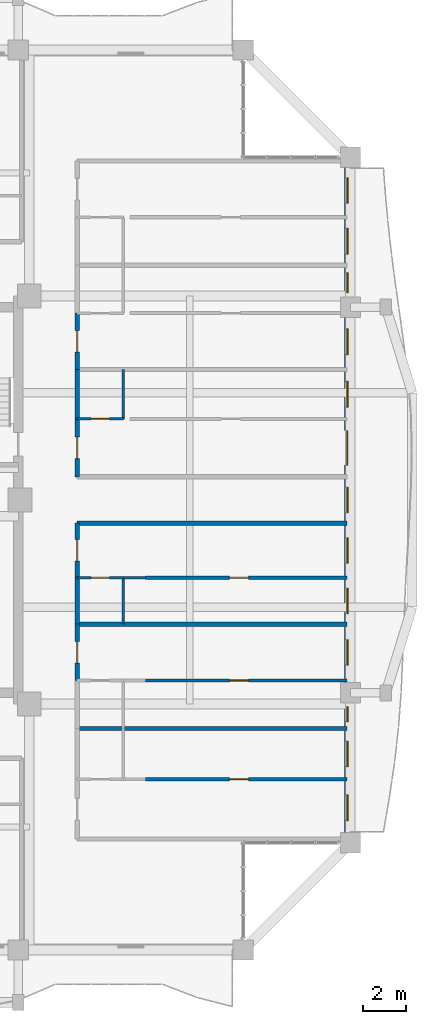
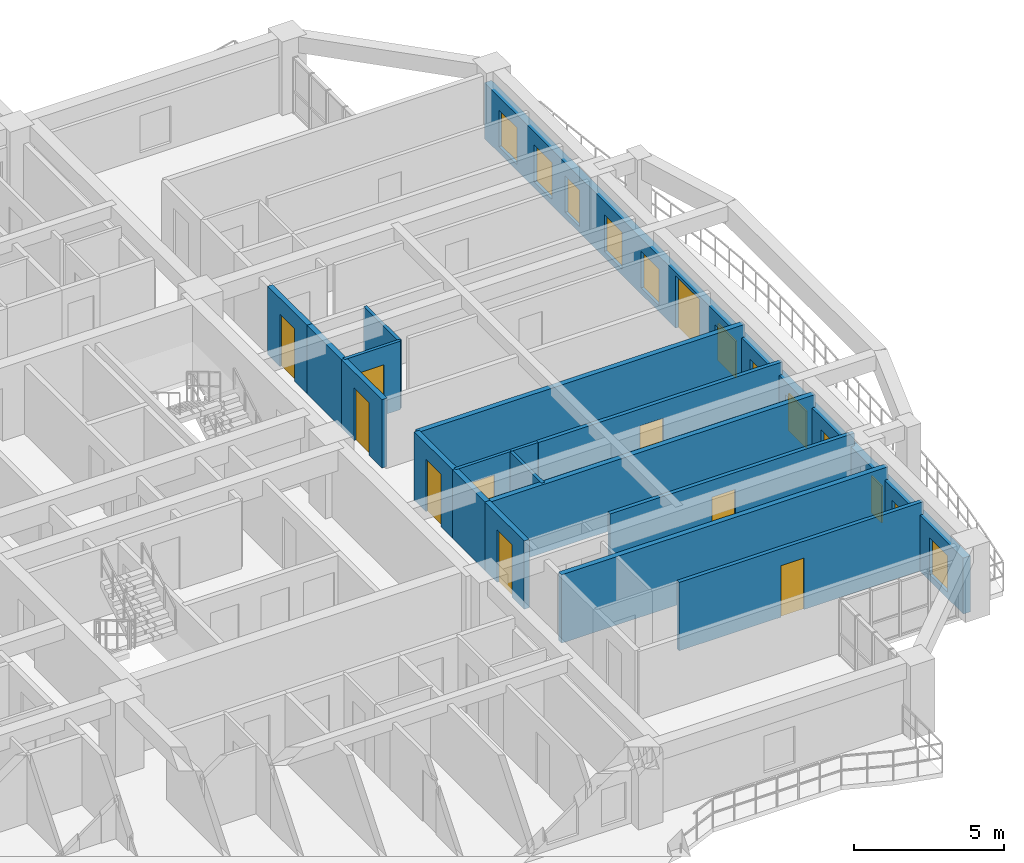
# One storey, part 15 of 24: 18 walls, 12 windows, 10 doors, 22 openings.
"""IFC4 building model written with IfcOpenShell, lengths in metres."""

import ifcopenshell
import ifcopenshell.guid

model = None  # the IFC model being written
_history = None  # IfcOwnerHistory: only IFC2X3 demands one
_inside = {}  # id of a spatial element -> (the spatial element, [elements in it])
_under = {}  # id of a project, library or spatial element -> (it, [spatial elements below it])
_declared = {}  # id of a project -> (the project, [libraries it declares])
_typed = {}  # id of a type object -> (the type object, [elements of that type])
_made_of = {}  # id of a material, layer set ... -> (it, [elements and type objects made of it])


def new_model(schema):
    """Start an empty IFC model of exactly this schema.

    Asked for "IFC4X3", IfcOpenShell would pick the latest addendum, in which some entities
    have other attributes; the version numbers below select the first issue.
    IFC2X3 requires an IfcOwnerHistory on every rooted entity: one is made here for all.
    """
    global model, _history
    if schema == "IFC4X3":
        model = ifcopenshell.file(schema_version=(4, 3, 0, 0))
    else:
        model = ifcopenshell.file(schema=schema)
    _inside.clear()
    _under.clear()
    _declared.clear()
    _typed.clear()
    _made_of.clear()
    _history = None
    if model.schema == "IFC2X3":
        org = make("IfcOrganization", Name="unknown")
        user = make(
            "IfcPersonAndOrganization",
            ThePerson=make("IfcPerson", FamilyName="unknown"),
            TheOrganization=org,
        )
        app = make(
            "IfcApplication",
            ApplicationDeveloper=org,
            Version="unknown",
            ApplicationFullName="unknown",
            ApplicationIdentifier="unknown",
        )
        _history = make(
            "IfcOwnerHistory",
            OwningUser=user,
            OwningApplication=app,
            ChangeAction="ADDED",
            CreationDate=0,
        )
    return model


def make(cls, **values):
    """One entity of the class cls with the attributes given. An attribute that is None is left unset."""
    return model.create_entity(
        cls, **{name: value for name, value in values.items() if value is not None}
    )


def rooted(cls, **values):
    """An entity with a GlobalId (a new one), such as an element, a storey or a relation."""
    return make(cls, GlobalId=ifcopenshell.guid.new(), OwnerHistory=_history, **values)


def si_unit(unit_type, name, prefix=None):
    """IfcSIUnit, for example si_unit("LENGTHUNIT", "METRE", prefix="MILLI")."""
    return make("IfcSIUnit", UnitType=unit_type, Prefix=prefix, Name=name)


def assignment(units):
    """IfcUnitAssignment: the units of a project."""
    return None if units is None else make("IfcUnitAssignment", Units=units)


def point(xyz):
    """IfcCartesianPoint."""
    return None if xyz is None else make("IfcCartesianPoint", Coordinates=xyz)


def direction(xyz):
    """IfcDirection."""
    return None if xyz is None else make("IfcDirection", DirectionRatios=xyz)


def frame(location, z_axis=None, x_axis=None):
    """IfcAxis2Placement3D, a coordinate frame: its origin and axes. An axis left out is left unset."""
    return make(
        "IfcAxis2Placement3D",
        Location=point(location),
        Axis=direction(z_axis),
        RefDirection=direction(x_axis),
    )


def frame_2d(location, x_axis=None):
    """IfcAxis2Placement2D, a coordinate frame in the plane: its origin and x axis."""
    return make(
        "IfcAxis2Placement2D", Location=point(location), RefDirection=direction(x_axis)
    )


def origin():
    """The frame at (0, 0, 0) with its axes left unset."""
    return frame((0.0, 0.0, 0.0))


def place(relative_to, where):
    """IfcLocalPlacement: puts the frame where relative to a parent placement (None: the world)."""
    return make(
        "IfcLocalPlacement", PlacementRelTo=relative_to, RelativePlacement=where
    )


def context(
    kind, dimensions, precision=None, world=None, true_north=None, identifier=None
):
    """IfcGeometricRepresentationContext, for example the 3D "Model" context."""
    return make(
        "IfcGeometricRepresentationContext",
        ContextIdentifier=identifier,
        ContextType=kind,
        CoordinateSpaceDimension=dimensions,
        Precision=precision,
        WorldCoordinateSystem=world,
        TrueNorth=true_north,
    )


def subcontext(parent, identifier, kind, view, scale=None):
    """IfcGeometricRepresentationSubContext, for example "Body" below "Model"."""
    return make(
        "IfcGeometricRepresentationSubContext",
        ContextIdentifier=identifier,
        ContextType=kind,
        ParentContext=parent,
        TargetScale=scale,
        TargetView=view,
    )


def project(units=None, contexts=None):
    """IfcProject with its units and contexts."""
    return rooted(
        "IfcProject",
        Name="project",
        RepresentationContexts=contexts,
        UnitsInContext=assignment(units),
    )


def spatial(cls, under=None, at=None, **own):
    """A site, building, storey or space (cls), placed at a placement, below another one or the project."""
    s = rooted(cls, ObjectPlacement=at, **own)
    if under is not None:
        _under.setdefault(under.id(), (under, []))[1].append(s)
    return s


def profile(cls, at=None, kind="AREA", **sizes):
    """A parametric profile (cls). Its sizes go by their IFC names, for example OverallWidth=200.0."""
    return make(cls, ProfileType=kind, Position=at, **sizes)


def rectangle(**sizes):
    """IfcRectangleProfileDef."""
    return profile("IfcRectangleProfileDef", **sizes)


def extrude(swept, where, along, depth):
    """IfcExtrudedAreaSolid: the profile swept, set in the frame where, extruded along a direction by depth."""
    return make(
        "IfcExtrudedAreaSolid",
        SweptArea=swept,
        Position=where,
        ExtrudedDirection=direction(along),
        Depth=depth,
    )


def shape(context_of_items, identifier, shape_type, items):
    """IfcShapeRepresentation: the items that make up one representation, for example the "Body"."""
    return make(
        "IfcShapeRepresentation",
        ContextOfItems=context_of_items,
        RepresentationIdentifier=identifier,
        RepresentationType=shape_type,
        Items=items,
    )


def source(mapping_origin, context_of_items, identifier, shape_type, items):
    """IfcRepresentationMap: a shape defined once, which mapped items show again and again."""
    return make(
        "IfcRepresentationMap",
        MappingOrigin=mapping_origin,
        MappedRepresentation=shape(context_of_items, identifier, shape_type, items),
    )


def transform(
    local_origin,
    x_axis=None,
    y_axis=None,
    z_axis=None,
    scale=None,
    scale2=None,
    scale3=None,
    uniform=True,
):
    """IfcCartesianTransformationOperator3D, or its non-uniform kind. x_axis, y_axis, z_axis: its Axis1, 2, 3."""
    if uniform:
        return make(
            "IfcCartesianTransformationOperator3D",
            Axis1=direction(x_axis),
            Axis2=direction(y_axis),
            LocalOrigin=point(local_origin),
            Scale=scale,
            Axis3=direction(z_axis),
        )
    return make(
        "IfcCartesianTransformationOperator3DnonUniform",
        Axis1=direction(x_axis),
        Axis2=direction(y_axis),
        LocalOrigin=point(local_origin),
        Scale=scale,
        Axis3=direction(z_axis),
        Scale2=scale2,
        Scale3=scale3,
    )


def mapped(mapping_source, mapping_target):
    """IfcMappedItem: shows the shape of a source again, moved by a transform."""
    return make(
        "IfcMappedItem", MappingSource=mapping_source, MappingTarget=mapping_target
    )


def material(Name=None, Category=None):
    """IfcMaterial."""
    return make("IfcMaterial", Name=Name, Category=Category)


def layer(
    of_material, thickness, ventilated=None, Name=None, Category=None, Priority=None
):
    """IfcMaterialLayer: one layer of a wall or slab, of a material (None: an air gap)."""
    return make(
        "IfcMaterialLayer",
        Material=of_material,
        LayerThickness=thickness,
        IsVentilated=ventilated,
        Name=Name,
        Category=Category,
        Priority=Priority,
    )


def layer_set(layers, Name=None):
    """IfcMaterialLayerSet."""
    return make("IfcMaterialLayerSet", MaterialLayers=layers, LayerSetName=Name)


def made_of(thing, what):
    """Note that an element or type object is made of a material, layer set ...; save() writes the relation."""
    if what is not None:
        _made_of.setdefault(what.id(), (what, []))[1].append(thing)
    return thing


def type_object(cls, material=None, **own):
    """A type object (cls), such as IfcWallType, which elements share."""
    return made_of(rooted(cls, **own), material)


def element(
    cls,
    number,
    at=None,
    inside=None,
    cuts=None,
    type_object=None,
    material=None,
    context=None,
    identifier="Body",
    shape_type=None,
    held_by="IfcProductDefinitionShape",
    body=None,
    shapes=None,
    **own,
):
    """One element of the class cls, such as IfcWall. Its Tag is "e" and its number.

    at: its placement. inside: the storey or other place that contains it. cuts: it is an
    opening in that element (IfcRelVoidsElement). A single representation is given by context,
    identifier, shape_type and body (its items); several are given by shapes. held_by: the class
    of the entity that holds the representations. save() writes the other relations.
    """
    e = rooted(cls, Tag="e%d" % number, ObjectPlacement=at, **own)
    if body is not None:
        shapes = [shape(context, identifier, shape_type, body)]
    if shapes is not None:
        e.Representation = make(held_by, Representations=shapes)
    if inside is not None:
        _inside.setdefault(inside.id(), (inside, []))[1].append(e)
    if cuts is not None:
        rooted(
            "IfcRelVoidsElement", RelatingBuildingElement=cuts, RelatedOpeningElement=e
        )
    if type_object is not None:
        _typed.setdefault(type_object.id(), (type_object, []))[1].append(e)
    return made_of(e, material)


def fill(opening, filler):
    """IfcRelFillsElement: the door or window that sits in an opening."""
    return rooted(
        "IfcRelFillsElement",
        RelatingOpeningElement=opening,
        RelatedBuildingElement=filler,
    )


def aggregate(whole, parts):
    """IfcRelAggregates: a whole, such as a stair, and the parts it consists of."""
    return rooted("IfcRelAggregates", RelatingObject=whole, RelatedObjects=parts)


def save(model, path):
    """Write the relations noted so far, then the file.

    IfcRelAggregates (storeys below a building ...), IfcRelContainedInSpatialStructure (elements
    in a storey), IfcRelDefinesByType, IfcRelAssociatesMaterial and IfcRelDeclares: one each for
    every whole, place, type object, material and project.
    """
    for whole, parts in _under.values():
        aggregate(whole, parts)
    for where, things in _inside.values():
        rooted(
            "IfcRelContainedInSpatialStructure",
            RelatedElements=things,
            RelatingStructure=where,
        )
    for kind, things in _typed.values():
        rooted("IfcRelDefinesByType", RelatedObjects=things, RelatingType=kind)
    for what, things in _made_of.values():
        rooted("IfcRelAssociatesMaterial", RelatedObjects=things, RelatingMaterial=what)
    for by, libraries in _declared.values():
        rooted("IfcRelDeclares", RelatingContext=by, RelatedDefinitions=libraries)
    model.write(path)


model = new_model("IFC4")

# Units and contexts
model_context = context("Model", 3, precision=1e-05, world=origin(), true_north=direction((0.0, 1.0)))
body_context = subcontext(model_context, "Body", "Model", "MODEL_VIEW")
ifc_project = project(units=[si_unit("LENGTHUNIT", "METRE"), si_unit("AREAUNIT", "SQUARE_METRE"), si_unit("VOLUMEUNIT", "CUBIC_METRE"), si_unit("PLANEANGLEUNIT", "RADIAN"), si_unit("MASSUNIT", "GRAM", prefix="KILO")], contexts=[model_context])

# Site, building, storey
site_placement = place(None, origin())
site = spatial("IfcSite", under=ifc_project, at=site_placement, CompositionType="ELEMENT")
building_placement = place(site_placement, origin())
building = spatial("IfcBuilding", under=site, at=building_placement, Name="Saelheon Loggia Tower", CompositionType="ELEMENT")
storey_placement = place(building_placement, frame((0.0, 0.0, 166.0)))
storey = spatial("IfcBuildingStorey", under=building, at=storey_placement, Name="L52", CompositionType="ELEMENT", Elevation=166.0)

# Wall, openings, windows, door
ifc_material_1 = material(Name="Architectural Precast Concrete C40/50", Category="concrete")
ifc_layer_1 = layer(ifc_material_1, 0.280029296875)
ifc_layer_set_1 = layer_set([ifc_layer_1], Name="Architectural Precast Concrete C40/50")
wall_type_1 = type_object("IfcWallType", Name="Wall_Ext_Loggia_280", PredefinedType="SOLIDWALL", material=ifc_layer_set_1)
wall_1_placement = place(storey_placement, frame((59.860107421875, 11.0, 0.0), z_axis=(0.0, 0.0, 1.0), x_axis=(0.0, 1.0, 0.0)))
wall_1 = element("IfcWall", 1, at=wall_1_placement, inside=storey, type_object=wall_type_1, Name="L52 East Loggia Inner Wall", PredefinedType="SOLIDWALL", context=body_context, shape_type="SweptSolid", body=[
    extrude(rectangle(XDim=32.0, YDim=0.280029296875, at=frame_2d((16.0, 0.0))), origin(), (0.0, 0.0, 1.0), 2.280029296875),
])
opening_1_placement = place(wall_1_placement, frame((1.040283203125, 0.0, 0.25)))
opening_1 = element("IfcOpeningElement", 2, at=opening_1_placement, cuts=wall_1, Name="Opening WN-03", PredefinedType="OPENING", context=body_context, shape_type="SweptSolid", body=[
    extrude(rectangle(XDim=1.199951171875, YDim=1.5, at=frame_2d((0.60009765625, 0.75))), frame((0.0, 0.152099609375, 0.0), z_axis=(0.0, -1.0, 0.0), x_axis=(1.0, 0.0, 0.0)), (0.0, 0.0, 1.0), 0.303955078125),
])
opening_2_placement = place(wall_1_placement, frame((3.552490234375, 0.0, 0.25)))
opening_2 = element("IfcOpeningElement", 3, at=opening_2_placement, cuts=wall_1, Name="Opening WN-03", PredefinedType="OPENING", context=body_context, shape_type="SweptSolid", body=[
    extrude(rectangle(XDim=1.199951171875, YDim=1.5, at=frame_2d((0.60009765625, 0.75))), frame((0.0, 0.152099609375, 0.0), z_axis=(0.0, -1.0, 0.0), x_axis=(1.0, 0.0, 0.0)), (0.0, 0.0, 1.0), 0.303955078125),
])
opening_3_placement = place(wall_1_placement, frame((5.662109375, 0.0, 0.25)))
opening_3 = element("IfcOpeningElement", 4, at=opening_3_placement, cuts=wall_1, Name="Opening WN-06", PredefinedType="OPENING", context=body_context, shape_type="SweptSolid", body=[
    extrude(rectangle(XDim=0.699951171875, YDim=1.5, at=frame_2d((0.35009765625, 0.75))), frame((0.0, 0.152099609375, 0.0), z_axis=(0.0, -1.0, 0.0), x_axis=(1.0, 0.0, 0.0)), (0.0, 0.0, 1.0), 0.303955078125),
])
opening_4_placement = place(wall_1_placement, frame((8.289794921875, 0.0, 0.25)))
opening_4 = element("IfcOpeningElement", 5, at=opening_4_placement, cuts=wall_1, Name="Opening WN-03", PredefinedType="OPENING", context=body_context, shape_type="SweptSolid", body=[
    extrude(rectangle(XDim=1.199951171875, YDim=1.5, at=frame_2d((0.60009765625, 0.75))), frame((0.0, 0.152099609375, 0.0), z_axis=(0.0, -1.0, 0.0), x_axis=(1.0, 0.0, 0.0)), (0.0, 0.0, 1.0), 0.303955078125),
])
opening_5_placement = place(wall_1_placement, frame((10.68798828125, 0.0, 0.25)))
opening_5 = element("IfcOpeningElement", 6, at=opening_5_placement, cuts=wall_1, Name="Opening WN-03", PredefinedType="OPENING", context=body_context, shape_type="SweptSolid", body=[
    extrude(rectangle(XDim=1.199951171875, YDim=1.5, at=frame_2d((0.60009765625, 0.75))), frame((0.0, 0.152099609375, 0.0), z_axis=(0.0, -1.0, 0.0), x_axis=(1.0, 0.0, 0.0)), (0.0, 0.0, 1.0), 0.303955078125),
])
opening_6_placement = place(wall_1_placement, frame((13.04638671875, 0.0, 0.25)))
opening_6 = element("IfcOpeningElement", 7, at=opening_6_placement, cuts=wall_1, Name="Opening WN-03", PredefinedType="OPENING", context=body_context, shape_type="SweptSolid", body=[
    extrude(rectangle(XDim=1.199951171875, YDim=1.5, at=frame_2d((0.60009765625, 0.75))), frame((0.0, 0.152099609375, 0.0), z_axis=(0.0, -1.0, 0.0), x_axis=(1.0, 0.0, 0.0)), (0.0, 0.0, 1.0), 0.303955078125),
])
opening_7_placement = place(wall_1_placement, frame((15.39990234375, 0.0, 0.25)))
opening_7 = element("IfcOpeningElement", 8, at=opening_7_placement, cuts=wall_1, Name="Opening WN-03", PredefinedType="OPENING", context=body_context, shape_type="SweptSolid", body=[
    extrude(rectangle(XDim=1.199951171875, YDim=1.5, at=frame_2d((0.60009765625, 0.75))), frame((0.0, 0.152099609375, 0.0), z_axis=(0.0, -1.0, 0.0), x_axis=(1.0, 0.0, 0.0)), (0.0, 0.0, 1.0), 0.303955078125),
])
opening_8_placement = place(wall_1_placement, frame((19.233154296875, 0.0, 0.0), z_axis=(0.0, 0.0, 1.0), x_axis=(-1.0, 0.0, 0.0)))
opening_8 = element("IfcOpeningElement", 9, at=opening_8_placement, cuts=wall_1, Name="Opening DLG-1", PredefinedType="OPENING", context=body_context, shape_type="SweptSolid", body=[
    extrude(rectangle(XDim=1.60009765625, YDim=2.14990234375, at=frame_2d((0.800048828125, 1.074951171875))), frame((0.0, 0.152099609375, 0.0), z_axis=(0.0, -1.0, 0.0), x_axis=(1.0, 0.0, 0.0)), (0.0, 0.0, 1.0), 0.303955078125),
])
opening_9_placement = place(wall_1_placement, frame((20.3388671875, 0.0, 0.25)))
opening_9 = element("IfcOpeningElement", 10, at=opening_9_placement, cuts=wall_1, Name="Opening WN-03", PredefinedType="OPENING", context=body_context, shape_type="SweptSolid", body=[
    extrude(rectangle(XDim=1.199951171875, YDim=1.5, at=frame_2d((0.60009765625, 0.75))), frame((0.0, 0.152099609375, 0.0), z_axis=(0.0, -1.0, 0.0), x_axis=(1.0, 0.0, 0.0)), (0.0, 0.0, 1.0), 0.303955078125),
])
opening_10_placement = place(wall_1_placement, frame((22.788330078125, 0.0, 0.25)))
opening_10 = element("IfcOpeningElement", 11, at=opening_10_placement, cuts=wall_1, Name="Opening WN-03", PredefinedType="OPENING", context=body_context, shape_type="SweptSolid", body=[
    extrude(rectangle(XDim=1.199951171875, YDim=1.5, at=frame_2d((0.60009765625, 0.75))), frame((0.0, 0.152099609375, 0.0), z_axis=(0.0, -1.0, 0.0), x_axis=(1.0, 0.0, 0.0)), (0.0, 0.0, 1.0), 0.303955078125),
])
opening_11_placement = place(wall_1_placement, frame((25.660400390625, 0.0, 0.25)))
opening_11 = element("IfcOpeningElement", 12, at=opening_11_placement, cuts=wall_1, Name="Opening WN-04", PredefinedType="OPENING", context=body_context, shape_type="SweptSolid", body=[
    extrude(rectangle(XDim=0.949951171875, YDim=1.5, at=frame_2d((0.47509765625, 0.75))), frame((0.0, 0.152099609375, 0.0), z_axis=(0.0, -1.0, 0.0), x_axis=(1.0, 0.0, 0.0)), (0.0, 0.0, 1.0), 0.303955078125),
])
opening_12_placement = place(wall_1_placement, frame((27.474609375, 0.0, 0.25)))
opening_12 = element("IfcOpeningElement", 13, at=opening_12_placement, cuts=wall_1, Name="Opening WN-03", PredefinedType="OPENING", context=body_context, shape_type="SweptSolid", body=[
    extrude(rectangle(XDim=1.199951171875, YDim=1.5, at=frame_2d((0.60009765625, 0.75))), frame((0.0, 0.152099609375, 0.0), z_axis=(0.0, -1.0, 0.0), x_axis=(1.0, 0.0, 0.0)), (0.0, 0.0, 1.0), 0.303955078125),
])
opening_13_placement = place(wall_1_placement, frame((29.839111328125, 0.0, 0.25)))
opening_13 = element("IfcOpeningElement", 14, at=opening_13_placement, cuts=wall_1, Name="Opening WN-03", PredefinedType="OPENING", context=body_context, shape_type="SweptSolid", body=[
    extrude(rectangle(XDim=1.199951171875, YDim=1.5, at=frame_2d((0.60009765625, 0.75))), frame((0.0, 0.152099609375, 0.0), z_axis=(0.0, -1.0, 0.0), x_axis=(1.0, 0.0, 0.0)), (0.0, 0.0, 1.0), 0.303955078125),
])
ifc_material_2 = material(Name="Thermal-Break Aluminium and Triple Low-E Glass", Category="aluminium")
window_type_1 = type_object("IfcWindowType", Name="Win_Slot_700x1500", PartitioningType="SINGLE_PANEL", PredefinedType="WINDOW", material=ifc_material_2)
shared_shape_1 = source(origin(), body_context, "Body", "SweptSolid", [
    extrude(rectangle(XDim=0.699951171875, YDim=1.5, at=frame_2d((0.35009765625, 0.75))), frame((0.0, 0.030029296875, 0.0), z_axis=(0.0, -1.0, 0.0), x_axis=(1.0, 0.0, 0.0)), (0.0, 0.0, 1.0), 0.06005859375),
])
window_1_placement = place(opening_3_placement, origin())
window_1 = element("IfcWindow", 15, at=window_1_placement, inside=storey, type_object=window_type_1, Name="L52 E Dwelling Window 3", OverallHeight=1.5, OverallWidth=0.699951171875, PartitioningType="SINGLE_PANEL", PredefinedType="WINDOW", context=body_context, shape_type="MappedRepresentation", body=[
    mapped(shared_shape_1, transform((0.0, 0.0, 0.0), scale=1.0)),
])
fill(opening_3, window_1)
window_type_2 = type_object("IfcWindowType", Name="Win_Bedroom_1200x1500", PartitioningType="SINGLE_PANEL", PredefinedType="WINDOW", material=ifc_material_2)
shared_shape_2 = source(origin(), body_context, "Body", "SweptSolid", [
    extrude(rectangle(XDim=1.199951171875, YDim=1.5, at=frame_2d((0.60009765625, 0.75))), frame((0.0, 0.030029296875, 0.0), z_axis=(0.0, -1.0, 0.0), x_axis=(1.0, 0.0, 0.0)), (0.0, 0.0, 1.0), 0.06005859375),
])
window_2_placement = place(opening_1_placement, origin())
window_2 = element("IfcWindow", 16, at=window_2_placement, inside=storey, type_object=window_type_2, Name="L52 E Dwelling Window 1", OverallHeight=1.5, OverallWidth=1.199951171875, PartitioningType="SINGLE_PANEL", PredefinedType="WINDOW", context=body_context, shape_type="MappedRepresentation", body=[
    mapped(shared_shape_2, transform((0.0, 0.0, 0.0), scale=1.0)),
])
fill(opening_1, window_2)
window_3_placement = place(opening_2_placement, origin())
window_3 = element("IfcWindow", 17, at=window_3_placement, inside=storey, type_object=window_type_2, Name="L52 E Dwelling Window 2", OverallHeight=1.5, OverallWidth=1.199951171875, PartitioningType="SINGLE_PANEL", PredefinedType="WINDOW", context=body_context, shape_type="MappedRepresentation", body=[
    mapped(shared_shape_2, transform((0.0, 0.0, 0.0), scale=1.0)),
])
fill(opening_2, window_3)
window_4_placement = place(opening_4_placement, origin())
window_4 = element("IfcWindow", 18, at=window_4_placement, inside=storey, type_object=window_type_2, Name="L52 E Dwelling Window 4", OverallHeight=1.5, OverallWidth=1.199951171875, PartitioningType="SINGLE_PANEL", PredefinedType="WINDOW", context=body_context, shape_type="MappedRepresentation", body=[
    mapped(shared_shape_2, transform((0.0, 0.0, 0.0), scale=1.0)),
])
fill(opening_4, window_4)
window_5_placement = place(opening_5_placement, origin())
window_5 = element("IfcWindow", 19, at=window_5_placement, inside=storey, type_object=window_type_2, Name="L52 E Dwelling Window 5", OverallHeight=1.5, OverallWidth=1.199951171875, PartitioningType="SINGLE_PANEL", PredefinedType="WINDOW", context=body_context, shape_type="MappedRepresentation", body=[
    mapped(shared_shape_2, transform((0.0, 0.0, 0.0), scale=1.0)),
])
fill(opening_5, window_5)
window_6_placement = place(opening_6_placement, origin())
window_6 = element("IfcWindow", 20, at=window_6_placement, inside=storey, type_object=window_type_2, Name="L52 E Dwelling Window 6", OverallHeight=1.5, OverallWidth=1.199951171875, PartitioningType="SINGLE_PANEL", PredefinedType="WINDOW", context=body_context, shape_type="MappedRepresentation", body=[
    mapped(shared_shape_2, transform((0.0, 0.0, 0.0), scale=1.0)),
])
fill(opening_6, window_6)
window_7_placement = place(opening_7_placement, origin())
window_7 = element("IfcWindow", 21, at=window_7_placement, inside=storey, type_object=window_type_2, Name="L52 E Dwelling Window 7", OverallHeight=1.5, OverallWidth=1.199951171875, PartitioningType="SINGLE_PANEL", PredefinedType="WINDOW", context=body_context, shape_type="MappedRepresentation", body=[
    mapped(shared_shape_2, transform((0.0, 0.0, 0.0), scale=1.0)),
])
fill(opening_7, window_7)
window_8_placement = place(opening_9_placement, origin())
window_8 = element("IfcWindow", 22, at=window_8_placement, inside=storey, type_object=window_type_2, Name="L52 E Dwelling Window 9", OverallHeight=1.5, OverallWidth=1.199951171875, PartitioningType="SINGLE_PANEL", PredefinedType="WINDOW", context=body_context, shape_type="MappedRepresentation", body=[
    mapped(shared_shape_2, transform((0.0, 0.0, 0.0), scale=1.0)),
])
fill(opening_9, window_8)
window_9_placement = place(opening_10_placement, origin())
window_9 = element("IfcWindow", 23, at=window_9_placement, inside=storey, type_object=window_type_2, Name="L52 E Dwelling Window 10", OverallHeight=1.5, OverallWidth=1.199951171875, PartitioningType="SINGLE_PANEL", PredefinedType="WINDOW", context=body_context, shape_type="MappedRepresentation", body=[
    mapped(shared_shape_2, transform((0.0, 0.0, 0.0), scale=1.0)),
])
fill(opening_10, window_9)
window_10_placement = place(opening_12_placement, origin())
window_10 = element("IfcWindow", 24, at=window_10_placement, inside=storey, type_object=window_type_2, Name="L52 E Dwelling Window 12", OverallHeight=1.5, OverallWidth=1.199951171875, PartitioningType="SINGLE_PANEL", PredefinedType="WINDOW", context=body_context, shape_type="MappedRepresentation", body=[
    mapped(shared_shape_2, transform((0.0, 0.0, 0.0), scale=1.0)),
])
fill(opening_12, window_10)
window_11_placement = place(opening_13_placement, origin())
window_11 = element("IfcWindow", 25, at=window_11_placement, inside=storey, type_object=window_type_2, Name="L52 E Dwelling Window 13", OverallHeight=1.5, OverallWidth=1.199951171875, PartitioningType="SINGLE_PANEL", PredefinedType="WINDOW", context=body_context, shape_type="MappedRepresentation", body=[
    mapped(shared_shape_2, transform((0.0, 0.0, 0.0), scale=1.0)),
])
fill(opening_13, window_11)
window_type_3 = type_object("IfcWindowType", Name="Win_Narrow_950x1500", PartitioningType="SINGLE_PANEL", PredefinedType="WINDOW", material=ifc_material_2)
shared_shape_3 = source(origin(), body_context, "Body", "SweptSolid", [
    extrude(rectangle(XDim=0.949951171875, YDim=1.5, at=frame_2d((0.47509765625, 0.75))), frame((0.0, 0.030029296875, 0.0), z_axis=(0.0, -1.0, 0.0), x_axis=(1.0, 0.0, 0.0)), (0.0, 0.0, 1.0), 0.06005859375),
])
window_12_placement = place(opening_11_placement, origin())
window_12 = element("IfcWindow", 26, at=window_12_placement, inside=storey, type_object=window_type_3, Name="L52 E Dwelling Window 11", OverallHeight=1.5, OverallWidth=0.949951171875, PartitioningType="SINGLE_PANEL", PredefinedType="WINDOW", context=body_context, shape_type="MappedRepresentation", body=[
    mapped(shared_shape_3, transform((0.0, 0.0, 0.0), scale=1.0)),
])
fill(opening_11, window_12)
ifc_material_3 = material(Name="Thermal-Break Aluminium Sliding Glazed Door", Category="aluminium")
door_type_1 = type_object("IfcDoorType", Name="Door_LoggiaSlide_1600", OperationType="SLIDING_TO_LEFT", PredefinedType="DOOR", material=ifc_material_3)
shared_shape_4 = source(origin(), body_context, "Body", "SweptSolid", [
    extrude(rectangle(XDim=1.60009765625, YDim=2.14990234375, at=frame_2d((0.800048828125, 1.074951171875))), frame((0.0, 0.02490234375, 0.0), z_axis=(0.0, -1.0, 0.0), x_axis=(1.0, 0.0, 0.0)), (0.0, 0.0, 1.0), 0.050048828125),
])
door_1_placement = place(opening_8_placement, origin())
door_1 = element("IfcDoor", 27, at=door_1_placement, inside=storey, type_object=door_type_1, Name="L52 E Loggia Access Door", OperationType="SLIDING_TO_LEFT", OverallHeight=2.14990234375, OverallWidth=1.60009765625, PredefinedType="DOOR", context=body_context, shape_type="MappedRepresentation", body=[
    mapped(shared_shape_4, transform((0.0, 0.0, 0.0), scale=1.0)),
])
fill(opening_8, door_1)

# Wall, opening, door
ifc_material_4 = material(Name="Lightweight Autoclaved Aerated Concrete Block and Acoustic Gypsum", Category="concrete")
ifc_layer_2 = layer(ifc_material_4, 0.14990234375)
ifc_layer_set_2 = layer_set([ifc_layer_2], Name="Lightweight Autoclaved Aerated Concrete Block and Acoustic Gypsum")
wall_type_2 = type_object("IfcWallType", Name="Wall_Part_150", PredefinedType="PARTITIONING", material=ifc_layer_set_2)
wall_2_placement = place(storey_placement, frame((50.429931640625, 13.9658203125, 0.0), z_axis=(0.0, 0.0, 1.0), x_axis=(1.0, 0.0, 0.0)))
wall_2 = element("IfcWall", 28, at=wall_2_placement, inside=storey, type_object=wall_type_2, Name="L52 ES Partition U08", PredefinedType="PARTITIONING", context=body_context, shape_type="SweptSolid", body=[
    extrude(rectangle(XDim=9.420166015625, YDim=0.14990234375, at=frame_2d((4.7099609375, 0.0))), origin(), (0.0, 0.0, 1.0), 2.7900390625),
])
opening_14_placement = place(wall_2_placement, frame((3.925048828125, 0.0, 0.0)))
opening_14 = element("IfcOpeningElement", 29, at=opening_14_placement, cuts=wall_2, Name="Opening D-IN2", PredefinedType="OPENING", context=body_context, shape_type="SweptSolid", body=[
    extrude(rectangle(XDim=0.89990234375, YDim=2.10009765625, at=frame_2d((0.449951171875, 1.050048828125))), frame((0.0, 0.0869140625, 0.0), z_axis=(0.0, -1.0, 0.0), x_axis=(1.0, 0.0, 0.0)), (0.0, 0.0, 1.0), 0.173828125),
])
ifc_material_5 = material(Name="Engineered Oak Flush Door", Category="timber")
door_type_2 = type_object("IfcDoorType", Name="Door_Int_900", OperationType="NOTDEFINED", PredefinedType="DOOR", material=ifc_material_5)
shared_shape_5 = source(origin(), body_context, "Body", "SweptSolid", [
    extrude(rectangle(XDim=0.89990234375, YDim=2.10009765625, at=frame_2d((0.449951171875, 1.050048828125))), frame((0.0, 0.02490234375, 0.0), z_axis=(0.0, -1.0, 0.0), x_axis=(1.0, 0.0, 0.0)), (0.0, 0.0, 1.0), 0.050048828125),
])
door_2_placement = place(opening_14_placement, origin())
door_2 = element("IfcDoor", 30, at=door_2_placement, inside=storey, type_object=door_type_2, Name="Unit U13 Kitchen Door", OperationType="SINGLE_SWING_RIGHT", OverallHeight=2.10009765625, OverallWidth=0.89990234375, PredefinedType="DOOR", context=body_context, shape_type="MappedRepresentation", body=[
    mapped(shared_shape_5, transform((0.0, 0.0, 0.0), scale=1.0)),
])
fill(opening_14, door_2)

wall_3_placement = place(storey_placement, frame((50.429931640625, 18.576416015625, 0.0), z_axis=(0.0, 0.0, 1.0), x_axis=(1.0, 0.0, 0.0)))
wall_3 = element("IfcWall", 31, at=wall_3_placement, inside=storey, type_object=wall_type_2, Name="L52 ES Partition U15", PredefinedType="PARTITIONING", context=body_context, shape_type="SweptSolid", body=[
    extrude(rectangle(XDim=9.420166015625, YDim=0.14990234375, at=frame_2d((4.7099609375, 0.0))), origin(), (0.0, 0.0, 1.0), 2.7900390625),
])
opening_15_placement = place(wall_3_placement, frame((3.925048828125, 0.0, 0.0)))
opening_15 = element("IfcOpeningElement", 32, at=opening_15_placement, cuts=wall_3, Name="Opening D-IN2", PredefinedType="OPENING", context=body_context, shape_type="SweptSolid", body=[
    extrude(rectangle(XDim=0.89990234375, YDim=2.10009765625, at=frame_2d((0.449951171875, 1.050048828125))), frame((0.0, 0.0869140625, 0.0), z_axis=(0.0, -1.0, 0.0), x_axis=(1.0, 0.0, 0.0)), (0.0, 0.0, 1.0), 0.173828125),
])
door_3_placement = place(opening_15_placement, origin())
door_3 = element("IfcDoor", 33, at=door_3_placement, inside=storey, type_object=door_type_2, Name="Unit U14 Kitchen Door", OperationType="SINGLE_SWING_LEFT", OverallHeight=2.10009765625, OverallWidth=0.89990234375, PredefinedType="DOOR", context=body_context, shape_type="MappedRepresentation", body=[
    mapped(shared_shape_5, transform((0.0, 0.0, 0.0), scale=1.0)),
])
fill(opening_15, door_3)

wall_4_placement = place(storey_placement, frame((50.429931640625, 23.372802734375, 0.0), z_axis=(0.0, 0.0, 1.0), x_axis=(1.0, 0.0, 0.0)))
wall_4 = element("IfcWall", 34, at=wall_4_placement, inside=storey, type_object=wall_type_2, Name="L52 ES Partition U22", PredefinedType="PARTITIONING", context=body_context, shape_type="SweptSolid", body=[
    extrude(rectangle(XDim=9.420166015625, YDim=0.14990234375, at=frame_2d((4.7099609375, 0.0))), origin(), (0.0, 0.0, 1.0), 2.7900390625),
])
opening_16_placement = place(wall_4_placement, frame((3.925048828125, 0.0, 0.0)))
opening_16 = element("IfcOpeningElement", 35, at=opening_16_placement, cuts=wall_4, Name="Opening D-IN2", PredefinedType="OPENING", context=body_context, shape_type="SweptSolid", body=[
    extrude(rectangle(XDim=0.89990234375, YDim=2.10009765625, at=frame_2d((0.449951171875, 1.050048828125))), frame((0.0, 0.0869140625, 0.0), z_axis=(0.0, -1.0, 0.0), x_axis=(1.0, 0.0, 0.0)), (0.0, 0.0, 1.0), 0.173828125),
])
door_4_placement = place(opening_16_placement, origin())
door_4 = element("IfcDoor", 36, at=door_4_placement, inside=storey, type_object=door_type_2, Name="Unit U15 Kitchen Door", OperationType="SINGLE_SWING_RIGHT", OverallHeight=2.10009765625, OverallWidth=0.89990234375, PredefinedType="DOOR", context=body_context, shape_type="MappedRepresentation", body=[
    mapped(shared_shape_5, transform((0.0, 0.0, 0.0), scale=1.0)),
])
fill(opening_16, door_4)

# Walls
ifc_material_6 = material(Name="Double Acoustic Stud and Fireboard Partition", Category="gypsum")
ifc_layer_3 = layer(ifc_material_6, 0.199951171875)
ifc_layer_set_3 = layer_set([ifc_layer_3], Name="Double Acoustic Stud and Fireboard Partition")
wall_type_3 = type_object("IfcWallType", Name="Wall_Party_200", PredefinedType="PARTITIONING", material=ifc_layer_set_3)
for number, where, z_axis, x_axis, name in (
    (37, (47.25, 25.919921875, 0.0), (0.0, 0.0, 1.0), (1.0, 0.0, 0.0), "L52 ES Partition U02"),
    (38, (47.25, 16.339111328125, 0.0), (0.0, 0.0, 1.0), (1.0, 0.0, 0.0), "L52 ES Partition U09"),
):
    element("IfcWall", number, at=place(storey_placement, frame(where, z_axis=z_axis, x_axis=x_axis)), inside=storey, type_object=wall_type_3, Name=name, PredefinedType="PARTITIONING", context=body_context, shape_type="SweptSolid", body=[
        extrude(rectangle(XDim=12.60009765625, YDim=0.199951171875, at=frame_2d((6.300048828125, 0.0))), origin(), (0.0, 0.0, 1.0), 2.7900390625),
    ])

# Wall, opening, door
wall_5_placement = place(storey_placement, frame((47.25, 18.576416015625, 0.0), z_axis=(0.0, 0.0, 1.0), x_axis=(0.0, 1.0, 0.0)))
wall_5 = element("IfcWall", 39, at=wall_5_placement, inside=storey, type_object=wall_type_3, Name="L52 ES Partition V11", PredefinedType="PARTITIONING", context=body_context, shape_type="SweptSolid", body=[
    extrude(rectangle(XDim=2.626708984375, YDim=0.199951171875, at=frame_2d((1.3134765625, 0.0))), origin(), (0.0, 0.0, 1.0), 2.7900390625),
])
opening_17_placement = place(wall_5_placement, frame((0.813232421875, 0.0, 0.0)))
opening_17 = element("IfcOpeningElement", 40, at=opening_17_placement, cuts=wall_5, Name="Opening D-FD1", PredefinedType="OPENING", context=body_context, shape_type="SweptSolid", body=[
    extrude(rectangle(XDim=1.0, YDim=2.14990234375, at=frame_2d((0.5, 1.074951171875))), frame((0.0, 0.112060546875, 0.0), z_axis=(0.0, -1.0, 0.0), x_axis=(1.0, 0.0, 0.0)), (0.0, 0.0, 1.0), 0.223876953125),
])
ifc_material_7 = material(Name="Fire-Rated Engineered Timber Entrance Door", Category="wood")
door_type_3 = type_object("IfcDoorType", Name="Door_Flat_FD30S", OperationType="NOTDEFINED", PredefinedType="DOOR", material=ifc_material_7)
shared_shape_6 = source(origin(), body_context, "Body", "SweptSolid", [
    extrude(rectangle(XDim=1.0, YDim=2.14990234375, at=frame_2d((0.5, 1.074951171875))), frame((0.0, 0.02490234375, 0.0), z_axis=(0.0, -1.0, 0.0), x_axis=(1.0, 0.0, 0.0)), (0.0, 0.0, 1.0), 0.050048828125),
])
door_5_placement = place(opening_17_placement, origin())
door_5 = element("IfcDoor", 41, at=door_5_placement, inside=storey, type_object=door_type_3, Name="Unit U14 Entrance Door", OperationType="SINGLE_SWING_LEFT", OverallHeight=2.14990234375, OverallWidth=1.0, PredefinedType="DOOR", context=body_context, shape_type="MappedRepresentation", body=[
    mapped(shared_shape_6, transform((0.0, 0.0, 0.0), scale=1.0)),
])
fill(opening_17, door_5)

# Walls
wall_6_placement = place(storey_placement, frame((47.25, 21.203125, 0.0), z_axis=(0.0, 0.0, 1.0), x_axis=(1.0, 0.0, 0.0)))
element("IfcWall", 42, at=wall_6_placement, inside=storey, type_object=wall_type_3, Name="L52 ES Partition U16", PredefinedType="PARTITIONING", context=body_context, shape_type="SweptSolid", body=[
    extrude(rectangle(XDim=12.60009765625, YDim=0.199951171875, at=frame_2d((6.300048828125, 0.0))), origin(), (0.0, 0.0, 1.0), 2.7900390625),
])
wall_7_placement = place(storey_placement, frame((47.25, 21.203125, 0.0), z_axis=(0.0, 0.0, 1.0), x_axis=(0.0, 1.0, 0.0)))
element("IfcWall", 43, at=wall_7_placement, inside=storey, type_object=wall_type_3, Name="L52 ES Partition V17", PredefinedType="PARTITIONING", context=body_context, shape_type="SweptSolid", body=[
    extrude(rectangle(XDim=2.169677734375, YDim=0.199951171875, at=frame_2d((1.0849609375, 0.0))), origin(), (0.0, 0.0, 1.0), 2.7900390625),
])

# Wall, opening, door
wall_8_placement = place(storey_placement, frame((47.25, 23.372802734375, 0.0), z_axis=(0.0, 0.0, 1.0), x_axis=(0.0, 1.0, 0.0)))
wall_8 = element("IfcWall", 44, at=wall_8_placement, inside=storey, type_object=wall_type_3, Name="L52 ES Partition V18", PredefinedType="PARTITIONING", context=body_context, shape_type="SweptSolid", body=[
    extrude(rectangle(XDim=2.547119140625, YDim=0.199951171875, at=frame_2d((1.2734375, 0.0))), origin(), (0.0, 0.0, 1.0), 2.7900390625),
])
opening_18_placement = place(wall_8_placement, frame((0.773681640625, 0.0, 0.0)))
opening_18 = element("IfcOpeningElement", 45, at=opening_18_placement, cuts=wall_8, Name="Opening D-FD1", PredefinedType="OPENING", context=body_context, shape_type="SweptSolid", body=[
    extrude(rectangle(XDim=1.0, YDim=2.14990234375, at=frame_2d((0.5, 1.074951171875))), frame((0.0, 0.112060546875, 0.0), z_axis=(0.0, -1.0, 0.0), x_axis=(1.0, 0.0, 0.0)), (0.0, 0.0, 1.0), 0.223876953125),
])
door_6_placement = place(opening_18_placement, origin())
door_6 = element("IfcDoor", 46, at=door_6_placement, inside=storey, type_object=door_type_3, Name="Unit U15 Entrance Door", OperationType="SINGLE_SWING_RIGHT", OverallHeight=2.14990234375, OverallWidth=1.0, PredefinedType="DOOR", context=body_context, shape_type="MappedRepresentation", body=[
    mapped(shared_shape_6, transform((0.0, 0.0, 0.0), scale=1.0)),
])
fill(opening_18, door_6)

wall_9_placement = place(storey_placement, frame((47.25, 28.080078125, 0.0), z_axis=(0.0, 0.0, 1.0), x_axis=(0.0, 1.0, 0.0)))
wall_9 = element("IfcWall", 47, at=wall_9_placement, inside=storey, type_object=wall_type_3, Name="L52 EN Partition V03", PredefinedType="PARTITIONING", context=body_context, shape_type="SweptSolid", body=[
    extrude(rectangle(XDim=2.706298828125, YDim=0.199951171875, at=frame_2d((1.35302734375, 0.0))), origin(), (0.0, 0.0, 1.0), 2.7900390625),
])
opening_19_placement = place(wall_9_placement, frame((0.853271484375, 0.0, 0.0)))
opening_19 = element("IfcOpeningElement", 48, at=opening_19_placement, cuts=wall_9, Name="Opening D-FD1", PredefinedType="OPENING", context=body_context, shape_type="SweptSolid", body=[
    extrude(rectangle(XDim=1.0, YDim=2.14990234375, at=frame_2d((0.5, 1.074951171875))), frame((0.0, 0.112060546875, 0.0), z_axis=(0.0, -1.0, 0.0), x_axis=(1.0, 0.0, 0.0)), (0.0, 0.0, 1.0), 0.223876953125),
])
door_7_placement = place(opening_19_placement, origin())
door_7 = element("IfcDoor", 49, at=door_7_placement, inside=storey, type_object=door_type_3, Name="Unit U16 Entrance Door", OperationType="SINGLE_SWING_LEFT", OverallHeight=2.14990234375, OverallWidth=1.0, PredefinedType="DOOR", context=body_context, shape_type="MappedRepresentation", body=[
    mapped(shared_shape_6, transform((0.0, 0.0, 0.0), scale=1.0)),
])
fill(opening_19, door_7)

# Wall
wall_10_placement = place(storey_placement, frame((47.25, 30.786376953125, 0.0), z_axis=(0.0, 0.0, 1.0), x_axis=(0.0, 1.0, 0.0)))
element("IfcWall", 50, at=wall_10_placement, inside=storey, type_object=wall_type_3, Name="L52 EN Partition V04", PredefinedType="PARTITIONING", context=body_context, shape_type="SweptSolid", body=[
    extrude(rectangle(XDim=2.30517578125, YDim=0.199951171875, at=frame_2d((1.152587890625, 0.0))), origin(), (0.0, 0.0, 1.0), 2.7900390625),
])

# Wall, opening, door
wall_11_placement = place(storey_placement, frame((47.25, 33.091552734375, 0.0), z_axis=(0.0, 0.0, 1.0), x_axis=(0.0, 1.0, 0.0)))
wall_11 = element("IfcWall", 51, at=wall_11_placement, inside=storey, type_object=wall_type_3, Name="L52 EN Partition V09", PredefinedType="PARTITIONING", context=body_context, shape_type="SweptSolid", body=[
    extrude(rectangle(XDim=2.62841796875, YDim=0.199951171875, at=frame_2d((1.314208984375, 0.0))), origin(), (0.0, 0.0, 1.0), 2.7900390625),
])
opening_20_placement = place(wall_11_placement, frame((0.814208984375, 0.0, 0.0)))
opening_20 = element("IfcOpeningElement", 52, at=opening_20_placement, cuts=wall_11, Name="Opening D-FD1", PredefinedType="OPENING", context=body_context, shape_type="SweptSolid", body=[
    extrude(rectangle(XDim=1.0, YDim=2.14990234375, at=frame_2d((0.5, 1.074951171875))), frame((0.0, 0.112060546875, 0.0), z_axis=(0.0, -1.0, 0.0), x_axis=(1.0, 0.0, 0.0)), (0.0, 0.0, 1.0), 0.223876953125),
])
door_8_placement = place(opening_20_placement, origin())
door_8 = element("IfcDoor", 53, at=door_8_placement, inside=storey, type_object=door_type_3, Name="Unit U17 Entrance Door", OperationType="SINGLE_SWING_RIGHT", OverallHeight=2.14990234375, OverallWidth=1.0, PredefinedType="DOOR", context=body_context, shape_type="MappedRepresentation", body=[
    mapped(shared_shape_6, transform((0.0, 0.0, 0.0), scale=1.0)),
])
fill(opening_20, door_8)

ifc_material_8 = material(Name="Moisture-Resistant Cement Board Partition", Category="gypsum")
ifc_layer_4 = layer(ifc_material_8, 0.1201171875)
ifc_layer_set_4 = layer_set([ifc_layer_4], Name="Moisture-Resistant Cement Board Partition")
wall_type_4 = type_object("IfcWallType", Name="Wall_WetPart_120", PredefinedType="PARTITIONING", material=ifc_layer_set_4)
wall_12_placement = place(storey_placement, frame((47.25, 23.372802734375, 0.0), z_axis=(0.0, 0.0, 1.0), x_axis=(1.0, 0.0, 0.0)))
wall_12 = element("IfcWall", 54, at=wall_12_placement, inside=storey, type_object=wall_type_4, Name="L52 ES Partition U19", PredefinedType="PARTITIONING", context=body_context, shape_type="SweptSolid", body=[
    extrude(rectangle(XDim=2.14990234375, YDim=0.1201171875, at=frame_2d((1.074951171875, 0.0))), origin(), (0.0, 0.0, 1.0), 2.7900390625),
])
opening_21_placement = place(wall_12_placement, frame((0.64990234375, 0.0, 0.0)))
opening_21 = element("IfcOpeningElement", 55, at=opening_21_placement, cuts=wall_12, Name="Opening D-BT1", PredefinedType="OPENING", context=body_context, shape_type="SweptSolid", body=[
    extrude(rectangle(XDim=0.85009765625, YDim=2.050048828125, at=frame_2d((0.425048828125, 1.02490234375))), frame((0.0, 0.072021484375, 0.0), z_axis=(0.0, -1.0, 0.0), x_axis=(1.0, 0.0, 0.0)), (0.0, 0.0, 1.0), 0.14404296875),
])
ifc_material_9 = material(Name="Moisture-Resistant Laminate Timber Door", Category="wood")
door_type_4 = type_object("IfcDoorType", Name="Door_Bath_850", OperationType="NOTDEFINED", PredefinedType="DOOR", material=ifc_material_9)
shared_shape_7 = source(origin(), body_context, "Body", "SweptSolid", [
    extrude(rectangle(XDim=0.85009765625, YDim=2.050048828125, at=frame_2d((0.425048828125, 1.02490234375))), frame((0.0, 0.02490234375, 0.0), z_axis=(0.0, -1.0, 0.0), x_axis=(1.0, 0.0, 0.0)), (0.0, 0.0, 1.0), 0.050048828125),
])
door_9_placement = place(opening_21_placement, origin())
door_9 = element("IfcDoor", 56, at=door_9_placement, inside=storey, type_object=door_type_4, Name="Unit U15 Bathroom Door", OperationType="SINGLE_SWING_LEFT", OverallHeight=2.050048828125, OverallWidth=0.85009765625, PredefinedType="DOOR", context=body_context, shape_type="MappedRepresentation", body=[
    mapped(shared_shape_7, transform((0.0, 0.0, 0.0), scale=1.0)),
])
fill(opening_21, door_9)

# Walls
wall_13_placement = place(storey_placement, frame((49.39990234375, 23.372802734375, 0.0), z_axis=(0.0, 0.0, 1.0), x_axis=(1.0, 0.0, 0.0)))
element("IfcWall", 57, at=wall_13_placement, inside=storey, type_object=wall_type_4, Name="L52 ES Partition U20", PredefinedType="PARTITIONING", context=body_context, shape_type="SweptSolid", body=[
    extrude(rectangle(XDim=1.030029296875, YDim=0.1201171875, at=frame_2d((0.51513671875, 0.0))), origin(), (0.0, 0.0, 1.0), 2.7900390625),
])
wall_14_placement = place(storey_placement, frame((49.39990234375, 21.203125, 0.0), z_axis=(0.0, 0.0, 1.0), x_axis=(0.0, 1.0, 0.0)))
element("IfcWall", 58, at=wall_14_placement, inside=storey, type_object=wall_type_4, Name="L52 ES Partition V21", PredefinedType="PARTITIONING", context=body_context, shape_type="SweptSolid", body=[
    extrude(rectangle(XDim=2.169677734375, YDim=0.1201171875, at=frame_2d((1.0849609375, 0.0))), origin(), (0.0, 0.0, 1.0), 2.7900390625),
])

# Wall, opening, door
wall_15_placement = place(storey_placement, frame((47.25, 30.786376953125, 0.0), z_axis=(0.0, 0.0, 1.0), x_axis=(1.0, 0.0, 0.0)))
wall_15 = element("IfcWall", 59, at=wall_15_placement, inside=storey, type_object=wall_type_4, Name="L52 EN Partition U05", PredefinedType="PARTITIONING", context=body_context, shape_type="SweptSolid", body=[
    extrude(rectangle(XDim=2.14990234375, YDim=0.1201171875, at=frame_2d((1.074951171875, 0.0))), origin(), (0.0, 0.0, 1.0), 2.7900390625),
])
opening_22_placement = place(wall_15_placement, frame((0.64990234375, 0.0, 0.0)))
opening_22 = element("IfcOpeningElement", 60, at=opening_22_placement, cuts=wall_15, Name="Opening D-BT1", PredefinedType="OPENING", context=body_context, shape_type="SweptSolid", body=[
    extrude(rectangle(XDim=0.85009765625, YDim=2.050048828125, at=frame_2d((0.425048828125, 1.02490234375))), frame((0.0, 0.072021484375, 0.0), z_axis=(0.0, -1.0, 0.0), x_axis=(1.0, 0.0, 0.0)), (0.0, 0.0, 1.0), 0.14404296875),
])
door_10_placement = place(opening_22_placement, origin())
door_10 = element("IfcDoor", 61, at=door_10_placement, inside=storey, type_object=door_type_4, Name="Unit U16 Bathroom Door", OperationType="SINGLE_SWING_RIGHT", OverallHeight=2.050048828125, OverallWidth=0.85009765625, PredefinedType="DOOR", context=body_context, shape_type="MappedRepresentation", body=[
    mapped(shared_shape_7, transform((0.0, 0.0, 0.0), scale=1.0)),
])
fill(opening_22, door_10)

# Wall
wall_16_placement = place(storey_placement, frame((49.39990234375, 30.786376953125, 0.0), z_axis=(0.0, 0.0, 1.0), x_axis=(0.0, 1.0, 0.0)))
element("IfcWall", 62, at=wall_16_placement, inside=storey, type_object=wall_type_4, Name="L52 EN Partition V06", PredefinedType="PARTITIONING", context=body_context, shape_type="SweptSolid", body=[
    extrude(rectangle(XDim=2.30517578125, YDim=0.1201171875, at=frame_2d((1.152587890625, 0.0))), origin(), (0.0, 0.0, 1.0), 2.7900390625),
])

save(model, "model.ifc")
